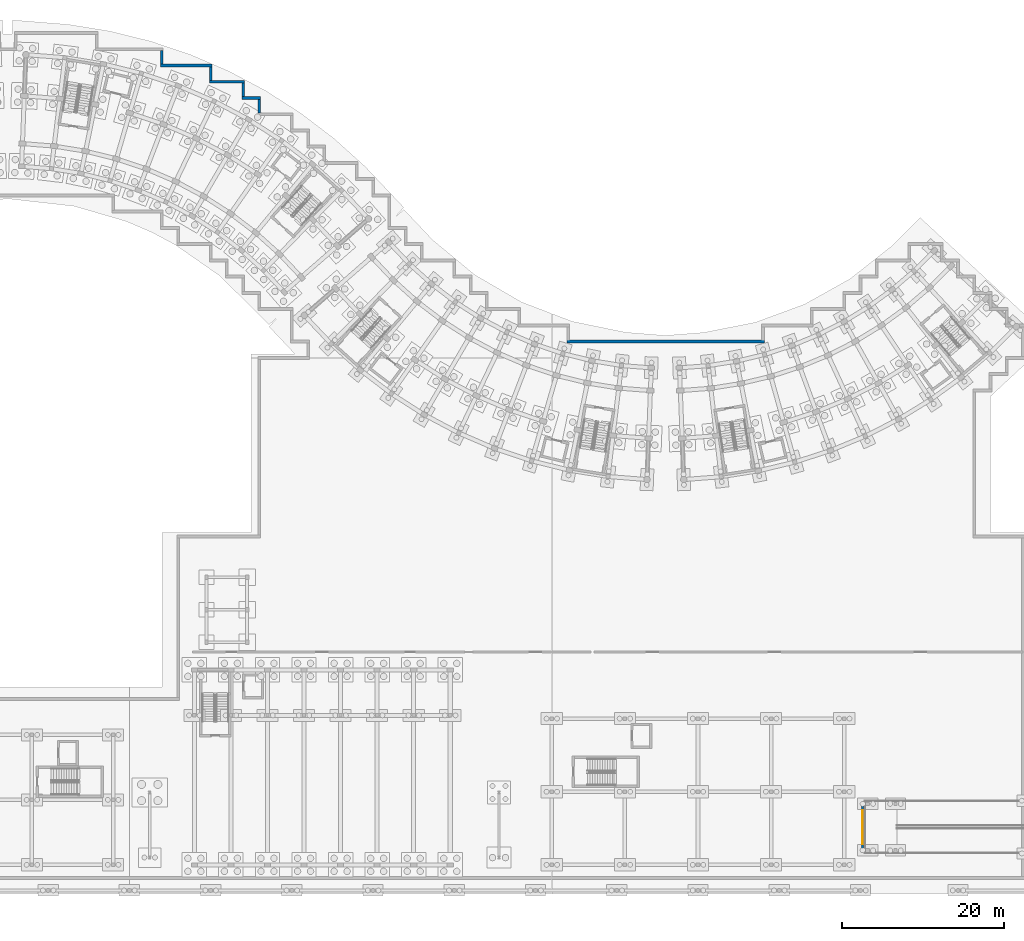
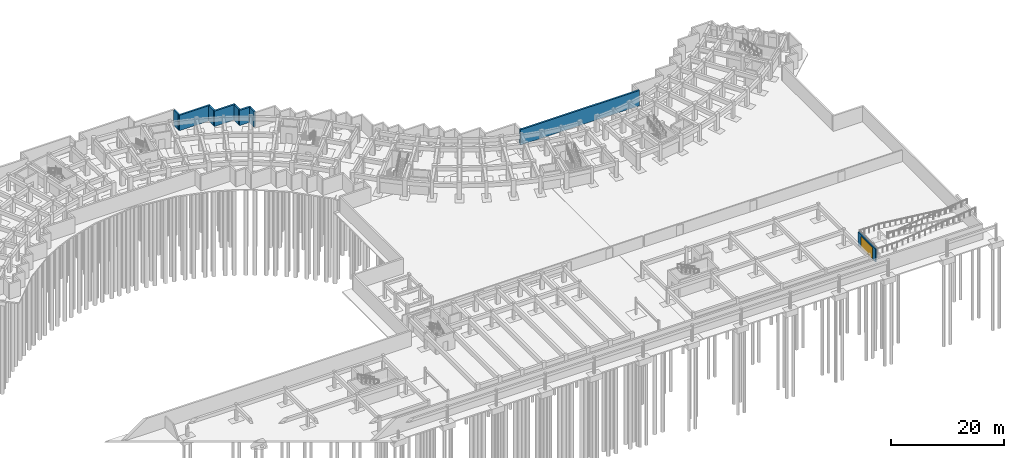
# One storey, part 21 of 32: 9 walls, 1 door, 1 opening.
"""IFC4 building model written with IfcOpenShell, lengths in metres."""

from ifc_helpers import new_model, si_unit, direction, frame, frame_2d, origin, place, context, subcontext, project, spatial, rectangle, extrude, material, layer, layer_set, type_object, element, fill, save


model = new_model("IFC4")

# Units and contexts
model_context = context("Model", 3, precision=1e-05, world=origin(), true_north=direction((0.0, 1.0)))
body_context = subcontext(model_context, "Body", "Model", "MODEL_VIEW")
ifc_project = project(units=[si_unit("LENGTHUNIT", "METRE"), si_unit("AREAUNIT", "SQUARE_METRE"), si_unit("VOLUMEUNIT", "CUBIC_METRE"), si_unit("PLANEANGLEUNIT", "RADIAN"), si_unit("MASSUNIT", "GRAM", prefix="KILO")], contexts=[model_context])

# Site, building, storey
site_placement = place(None, origin())
site = spatial("IfcSite", under=ifc_project, at=site_placement, CompositionType="ELEMENT")
building_placement = place(site_placement, origin())
building = spatial("IfcBuilding", under=site, at=building_placement, Name="Zimvara Arc Housing Community", CompositionType="ELEMENT")
storey_placement = place(building_placement, frame((0.0, 0.0, -3.60009765625)))
storey = spatial("IfcBuildingStorey", under=building, at=storey_placement, Name="B1", CompositionType="ELEMENT", Elevation=-3.60009765625)

# Wall, opening, door
ifc_material_1 = material(Name="Board-Marked Fair-Faced Concrete C35/45", Category="concrete")
ifc_layer_1 = layer(ifc_material_1, 0.219970703125)
ifc_layer_set_1 = layer_set([ifc_layer_1], Name="Board-Marked Fair-Faced Concrete C35/45")
wall_type_1 = type_object("IfcWallType", Name="EWL-CONC-220", PredefinedType="SOLIDWALL", material=ifc_layer_set_1)
wall_1_placement = place(storey_placement, frame((150.25, 5.199951171875, 0.0), z_axis=(0.0, 0.0, 1.0), x_axis=(0.0, 1.0, 0.0)))
wall_1 = element("IfcWall", 1, at=wall_1_placement, inside=storey, type_object=wall_type_1, Name="ewall:gate_host:b1_ramp_bt", PredefinedType="SOLIDWALL", context=body_context, shape_type="SweptSolid", body=[
    extrude(rectangle(XDim=6.10009765625, YDim=0.219970703125, at=frame_2d((3.050048828125, 0.0))), origin(), (0.0, 0.0, 1.0), 2.85009765625),
])
opening_placement = place(wall_1_placement, frame((0.949951171875, 0.0, 0.0)))
opening = element("IfcOpeningElement", 2, at=opening_placement, cuts=wall_1, Name="Opening GT01", PredefinedType="OPENING", context=body_context, shape_type="SweptSolid", body=[
    extrude(rectangle(XDim=4.199951171875, YDim=2.5, at=frame_2d((2.10009765625, 1.25))), frame((0.0, 0.119873046875, 0.0), z_axis=(0.0, -1.0, 0.0), x_axis=(1.0, 0.0, 0.0)), (0.0, 0.0, 1.0), 0.239990234375),
])
ifc_material_2 = material(Name="Anodised Aluminium AW-6063", Category="aluminium")
door_type = type_object("IfcDoorType", Name="GTE-RAMP-4200x2500", OperationType="ROLLINGUP", PredefinedType="GATE", material=ifc_material_2)
door_placement = place(opening_placement, origin())
door = element("IfcDoor", 3, at=door_placement, inside=storey, type_object=door_type, Name="gate:b1_ramp_bt", OperationType="ROLLINGUP", OverallHeight=2.5, OverallWidth=4.199951171875, PredefinedType="GATE", context=body_context, shape_type="SweptSolid", body=[
    extrude(rectangle(XDim=4.199951171875, YDim=2.5, at=frame_2d((2.10009765625, 1.25))), frame((0.0, 0.02490234375, 0.0), z_axis=(0.0, -1.0, 0.0), x_axis=(1.0, 0.0, 0.0)), (0.0, 0.0, 1.0), 0.050048828125),
])
fill(opening, door)

# Walls
ifc_material_3 = material(Name="Concrete C35/45", Category="concrete")
ifc_layer_2 = layer(ifc_material_3, 0.320068359375)
ifc_layer_set_2 = layer_set([ifc_layer_2], Name="Concrete C35/45")
wall_type_2 = type_object("IfcWallType", Name="WL-RET-320", PredefinedType="USERDEFINED", material=ifc_layer_set_2)
for number, where, z_axis, x_axis, name in (
    (4, (76.0, 96.175048828125, 0.0), (0.0, 0.0, 1.0), (0.0, 1.0, 0.0), "wall:B1:ret:58"),
    (5, (74.0, 98.175048828125, 0.0), (0.0, 0.0, 1.0), (0.0, 1.0, 0.0), "wall:B1:ret:60"),
    (6, (70.0, 100.175048828125, 0.0), (0.0, 0.0, 1.0), (0.0, 1.0, 0.0), "wall:B1:ret:62"),
    (7, (64.0, 102.175048828125, 0.0), (0.0, 0.0, 1.0), (0.0, 1.0, 0.0), "wall:B1:ret:64"),
):
    element("IfcWall", number, at=place(storey_placement, frame(where, z_axis=z_axis, x_axis=x_axis)), inside=storey, type_object=wall_type_2, Name=name, ObjectType="RETAINING WALL", PredefinedType="USERDEFINED", context=body_context, shape_type="SweptSolid", body=[
        extrude(rectangle(XDim=1.64990234375, YDim=0.320068359375, at=frame_2d((0.824951171875, 0.0))), origin(), (0.0, 0.0, 1.0), 3.300048828125),
    ])
ifc_material_4 = material(Name="Concrete C35/45", Category="concrete")
ifc_layer_3 = layer(ifc_material_4, 0.360107421875)
ifc_layer_set_3 = layer_set([ifc_layer_3], Name="Concrete C35/45")
wall_type_3 = type_object("IfcWallType", Name="WL-RET-360", PredefinedType="USERDEFINED", material=ifc_layer_set_3)
wall_2_placement = place(storey_placement, frame((138.159912109375, 68.0, 0.0), z_axis=(0.0, 0.0, 1.0), x_axis=(-1.0, 0.0, 0.0)))
element("IfcWall", 8, at=wall_2_placement, inside=storey, type_object=wall_type_3, Name="wall:B1:ret:31", ObjectType="RETAINING WALL", PredefinedType="USERDEFINED", context=body_context, shape_type="SweptSolid", body=[
    extrude(rectangle(XDim=24.31982421875, YDim=0.360107421875, at=frame_2d((12.159912109375, 0.0))), origin(), (0.0, 0.0, 1.0), 3.300048828125),
])
wall_3_placement = place(storey_placement, frame((76.159912109375, 98.0, 0.0), z_axis=(0.0, 0.0, 1.0), x_axis=(-1.0, 0.0, 0.0)))
element("IfcWall", 9, at=wall_3_placement, inside=storey, type_object=wall_type_3, Name="wall:B1:ret:59", ObjectType="RETAINING WALL", PredefinedType="USERDEFINED", context=body_context, shape_type="SweptSolid", body=[
    extrude(rectangle(XDim=2.31982421875, YDim=0.360107421875, at=frame_2d((1.159912109375, 0.0))), origin(), (0.0, 0.0, 1.0), 3.300048828125),
])
wall_4_placement = place(storey_placement, frame((74.159912109375, 100.0, 0.0), z_axis=(0.0, 0.0, 1.0), x_axis=(-1.0, 0.0, 0.0)))
element("IfcWall", 10, at=wall_4_placement, inside=storey, type_object=wall_type_3, Name="wall:B1:ret:61", ObjectType="RETAINING WALL", PredefinedType="USERDEFINED", context=body_context, shape_type="SweptSolid", body=[
    extrude(rectangle(XDim=4.31982421875, YDim=0.360107421875, at=frame_2d((2.159912109375, 0.0))), origin(), (0.0, 0.0, 1.0), 3.300048828125),
])
wall_5_placement = place(storey_placement, frame((70.159912109375, 102.0, 0.0), z_axis=(0.0, 0.0, 1.0), x_axis=(-1.0, 0.0, 0.0)))
element("IfcWall", 11, at=wall_5_placement, inside=storey, type_object=wall_type_3, Name="wall:B1:ret:63", ObjectType="RETAINING WALL", PredefinedType="USERDEFINED", context=body_context, shape_type="SweptSolid", body=[
    extrude(rectangle(XDim=6.31982421875, YDim=0.360107421875, at=frame_2d((3.159912109375, 0.0))), origin(), (0.0, 0.0, 1.0), 3.300048828125),
])

save(model, "model.ifc")
